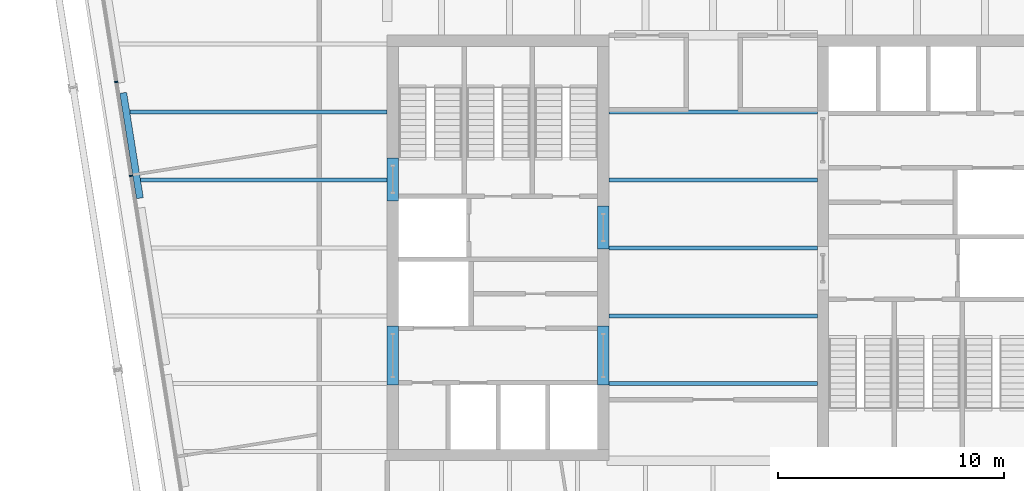
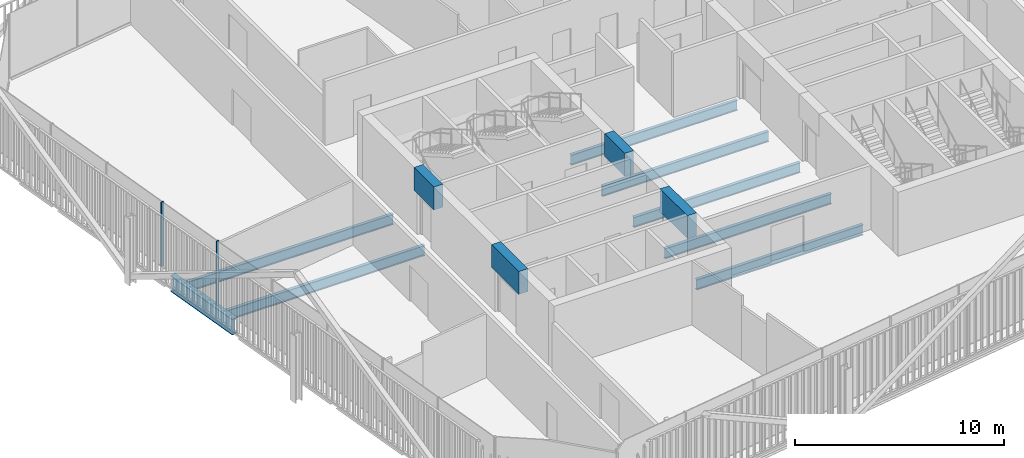
# One storey, part 7 of 20: 12 beams, 2 members, 1 element without a shape of its own.
"""IFC4 building model written with IfcOpenShell, lengths in metres."""

from ifc_helpers import new_model, si_unit, direction, frame, origin, origin_2d, place, context, subcontext, project, spatial, rectangle, i_section, extrude, material, layer, layer_set, material_profile, profile_set, type_object, element, aggregate, save


model = new_model("IFC4")

# Units and contexts
model_context = context("Model", 3, precision=1e-05, world=origin(), true_north=direction((0.0, 1.0)))
body_context = subcontext(model_context, "Body", "Model", "MODEL_VIEW")
ifc_project = project(units=[si_unit("LENGTHUNIT", "METRE"), si_unit("AREAUNIT", "SQUARE_METRE"), si_unit("VOLUMEUNIT", "CUBIC_METRE"), si_unit("PLANEANGLEUNIT", "RADIAN"), si_unit("MASSUNIT", "GRAM", prefix="KILO")], contexts=[model_context])

# Site, building, storey
site_placement = place(None, origin())
site = spatial("IfcSite", under=ifc_project, at=site_placement, CompositionType="ELEMENT")
building_placement = place(site_placement, origin())
building = spatial("IfcBuilding", under=site, at=building_placement, Name="Millrace Tower", CompositionType="ELEMENT")
storey_placement = place(building_placement, frame((0.0, 0.0, 204.699951171875)))
storey = spatial("IfcBuildingStorey", under=building, at=storey_placement, Name="L46", CompositionType="ELEMENT", Elevation=204.699951171875)

# Curtain wall, members
ifc_material_1 = material(Name="Aluminium and glass", Category="aluminium")
ifc_layer = layer(ifc_material_1, 0.14990234375)
ifc_layer_set = layer_set([ifc_layer], Name="Aluminium and glass")
curtain_wall_type = type_object("IfcCurtainWallType", Name="CW-1 office vision curtain wall", PredefinedType="NOTDEFINED", material=ifc_layer_set)
curtain_wall_placement = place(storey_placement, origin())
curtain_wall = element("IfcCurtainWall", 1, at=curtain_wall_placement, inside=storey, type_object=curtain_wall_type, Name="Curtain wall D-F08 L46", PredefinedType="NOTDEFINED")
ifc_material_2 = material(Name="Aluminium", Category="aluminium")
ifc_material_profile_1 = material_profile(ifc_material_2, rectangle(XDim=0.06494140625, YDim=0.14990234375, at=origin_2d()))
ifc_profile_set_1 = profile_set([ifc_material_profile_1], Name="Aluminium")
member_type = type_object("IfcMemberType", Name="CW-1 office vision curtain wall mullion", PredefinedType="MULLION", material=ifc_profile_set_1)
member_1_placement = place(storey_placement, frame((-26.371337890625, 7.33056640625, 0.14013671875), z_axis=(0.0, 0.0, 1.0), x_axis=(0.156434471884, -0.987688339511, 0.0)))
member_1 = element("IfcMember", 2, at=member_1_placement, type_object=member_type, Name="CW1 mullion D-F08.4", PredefinedType="MULLION", context=body_context, shape_type="SweptSolid", body=[
    extrude(rectangle(XDim=0.06494140625, YDim=0.14990234375, at=origin_2d()), origin(), (0.0, 0.0, 1.0), 3.760009765625),
])
member_2_placement = place(storey_placement, frame((-25.71435546875, 3.182373046875, 0.14013671875), z_axis=(0.0, 0.0, 1.0), x_axis=(0.156434471884, -0.987688339511, 0.0)))
member_2 = element("IfcMember", 3, at=member_2_placement, type_object=member_type, Name="CW1 mullion D-F08.5", PredefinedType="MULLION", context=body_context, shape_type="SweptSolid", body=[
    extrude(rectangle(XDim=0.06494140625, YDim=0.14990234375, at=origin_2d()), origin(), (0.0, 0.0, 1.0), 3.760009765625),
])
aggregate(curtain_wall, [member_1, member_2])

# Beams
ifc_material_3 = material(Name="Concrete C60", Category="concrete")
ifc_material_profile_2 = material_profile(ifc_material_3, rectangle(XDim=0.5, YDim=1.340087890625, at=origin_2d()))
ifc_profile_set_2 = profile_set([ifc_material_profile_2], Name="Concrete C60")
beam_type_1 = type_object("IfcBeamType", Name="Coupling beam 500 x 1340 Concrete C60, 1300 opening", PredefinedType="BEAM", material=ifc_profile_set_2)
beam_1_placement = place(storey_placement, frame((-14.14990234375, 2.080078125, 3.070068359375), z_axis=(0.0, 1.0, 0.0), x_axis=(-1.0, 0.0, 0.0)))
element("IfcBeam", 4, at=beam_1_placement, inside=storey, type_object=beam_type_1, Name="Coupling beam W L46", PredefinedType="BEAM", context=body_context, shape_type="SweptSolid", body=[
    extrude(rectangle(XDim=0.5, YDim=1.340087890625, at=origin_2d()), origin(), (0.0, 0.0, 1.0), 1.89990234375),
])
beam_2_placement = place(storey_placement, frame((-4.85009765625, -0.050048828125, 3.070068359375), z_axis=(0.0, 1.0, 0.0), x_axis=(-1.0, 0.0, 0.0)))
element("IfcBeam", 5, at=beam_2_placement, inside=storey, type_object=beam_type_1, Name="Coupling beam W L46", PredefinedType="BEAM", context=body_context, shape_type="SweptSolid", body=[
    extrude(rectangle(XDim=0.5, YDim=1.340087890625, at=origin_2d()), origin(), (0.0, 0.0, 1.0), 1.900146484375),
])
ifc_material_4 = material(Name="Concrete C60", Category="concrete")
ifc_material_profile_3 = material_profile(ifc_material_4, rectangle(XDim=0.5, YDim=1.340087890625, at=origin_2d()))
ifc_profile_set_3 = profile_set([ifc_material_profile_3], Name="Concrete C60")
beam_type_2 = type_object("IfcBeamType", Name="Coupling beam 500 x 1340 Concrete C60, 2000 opening", PredefinedType="BEAM", material=ifc_profile_set_3)
for number, where, z_axis, x_axis, name in (
    (6, (-14.14990234375, -6.050048828125, 3.070068359375), (0.0, 1.0, 0.0), (-1.0, 0.0, 0.0), "Coupling beam W L46"),
    (7, (-4.85009765625, -6.050048828125, 3.070068359375), (0.0, 1.0, 0.0), (-1.0, 0.0, 0.0), "Coupling beam W L46"),
):
    element("IfcBeam", number, at=place(storey_placement, frame(where, z_axis=z_axis, x_axis=x_axis)), inside=storey, type_object=beam_type_2, Name=name, PredefinedType="BEAM", context=body_context, shape_type="SweptSolid", body=[
        extrude(rectangle(XDim=0.5, YDim=1.340087890625, at=origin_2d()), origin(), (0.0, 0.0, 1.0), 2.60009765625),
    ])
ifc_material_5 = material(Name="Steel ASTM A992 Grade 50", Category="steel")
ifc_material_profile_4 = material_profile(ifc_material_5, i_section(OverallWidth=0.177978515625, OverallDepth=0.599365234375, WebThickness=0.010009765625, FlangeThickness=0.012939453125, FilletRadius=0.012939453125, at=origin_2d()))
ifc_profile_set_4 = profile_set([ifc_material_profile_4], Name="Steel ASTM A992 Grade 50")
beam_type_3 = type_object("IfcBeamType", Name="Floor beam W24x55", PredefinedType="JOIST", material=ifc_profile_set_4)
for number, where, z_axis, x_axis, name in (
    (8, (-4.60009765625, -6.0, -0.459716796875), (1.0, 0.0, 0.0), (0.0, 1.0, 0.0), "BM-D-L46-S1-S008"),
    (9, (-4.60009765625, -3.0, -0.459716796875), (1.0, 0.0, 0.0), (0.0, 1.0, 0.0), "BM-D-L46-S1-S011"),
    (10, (-4.60009765625, 0.0, -0.459716796875), (1.0, 0.0, 0.0), (0.0, 1.0, 0.0), "BM-D-L46-S1-S014"),
    (11, (-4.60009765625, 3.0, -0.459716796875), (1.0, 0.0, 0.0), (0.0, 1.0, 0.0), "BM-D-L46-S1-S017"),
    (12, (-4.60009765625, 6.0, -0.459716796875), (1.0, 0.0, 0.0), (0.0, 1.0, 0.0), "BM-D-L46-S1-S020"),
):
    element("IfcBeam", number, at=place(storey_placement, frame(where, z_axis=z_axis, x_axis=x_axis)), inside=storey, type_object=beam_type_3, Name=name, PredefinedType="JOIST", context=body_context, shape_type="SweptSolid", body=[
        extrude(i_section(OverallWidth=0.177978515625, OverallDepth=0.599365234375, WebThickness=0.010009765625, FlangeThickness=0.012939453125, FilletRadius=0.012939453125, at=origin_2d()), origin(), (0.0, 0.0, 1.0), 9.2001953125),
    ])
ifc_material_6 = material(Name="Steel ASTM A992 Grade 50", Category="steel")
ifc_material_profile_5 = material_profile(ifc_material_6, i_section(OverallWidth=0.1787109375, OverallDepth=0.60205078125, WebThickness=0.010986328125, FlangeThickness=0.014892578125, FilletRadius=0.0126953125, at=origin_2d()))
ifc_profile_set_5 = profile_set([ifc_material_profile_5], Name="Steel ASTM A992 Grade 50")
beam_type_4 = type_object("IfcBeamType", Name="Floor beam W24x62", PredefinedType="JOIST", material=ifc_profile_set_5)
beam_3_placement = place(storey_placement, frame((-25.29833984375, 3.0, -0.4609375), z_axis=(1.0, 0.0, 0.0), x_axis=(0.0, 1.0, 0.0)))
element("IfcBeam", 13, at=beam_3_placement, inside=storey, type_object=beam_type_4, Name="BM-D-L46-S1-S018", PredefinedType="JOIST", context=body_context, shape_type="SweptSolid", body=[
    extrude(i_section(OverallWidth=0.1787109375, OverallDepth=0.60205078125, WebThickness=0.010986328125, FlangeThickness=0.014892578125, FilletRadius=0.0126953125, at=origin_2d()), origin(), (0.0, 0.0, 1.0), 10.8984375),
])
beam_4_placement = place(storey_placement, frame((-25.7734375, 6.0, -0.4609375), z_axis=(1.0, 0.0, 0.0), x_axis=(0.0, 1.0, 0.0)))
element("IfcBeam", 14, at=beam_4_placement, inside=storey, type_object=beam_type_4, Name="BM-D-L46-S1-S021", PredefinedType="JOIST", context=body_context, shape_type="SweptSolid", body=[
    extrude(i_section(OverallWidth=0.1787109375, OverallDepth=0.60205078125, WebThickness=0.010986328125, FlangeThickness=0.014892578125, FilletRadius=0.0126953125, at=origin_2d()), origin(), (0.0, 0.0, 1.0), 11.37353515625),
])
ifc_material_7 = material(Name="Steel ASTM A992 Grade 50", Category="steel")
ifc_material_profile_6 = material_profile(ifc_material_7, i_section(OverallWidth=0.307373046875, OverallDepth=0.927001953125, WebThickness=0.01953125, FlangeThickness=0.031982421875, FilletRadius=0.01904296875, at=origin_2d()))
ifc_profile_set_6 = profile_set([ifc_material_profile_6], Name="Steel ASTM A992 Grade 50")
beam_type_5 = type_object("IfcBeamType", Name="Ring beam short span W36x194", PredefinedType="SPANDREL", material=ifc_profile_set_6)
beam_5_placement = place(storey_placement, frame((-25.326416015625, 2.195556640625, -0.62353515625), z_axis=(-0.156478733143, 0.9876813282, 0.0), x_axis=(-0.9876813282, -0.156478733143, 0.0)))
element("IfcBeam", 15, at=beam_5_placement, inside=storey, type_object=beam_type_5, Name="RNG-D-L46-S1-02-b", PredefinedType="SPANDREL", context=body_context, shape_type="SweptSolid", body=[
    extrude(i_section(OverallWidth=0.307373046875, OverallDepth=0.927001953125, WebThickness=0.01953125, FlangeThickness=0.031982421875, FilletRadius=0.01904296875, at=origin_2d()), origin(), (0.0, 0.0, 1.0), 4.7119140625),
])

save(model, "model.ifc")
